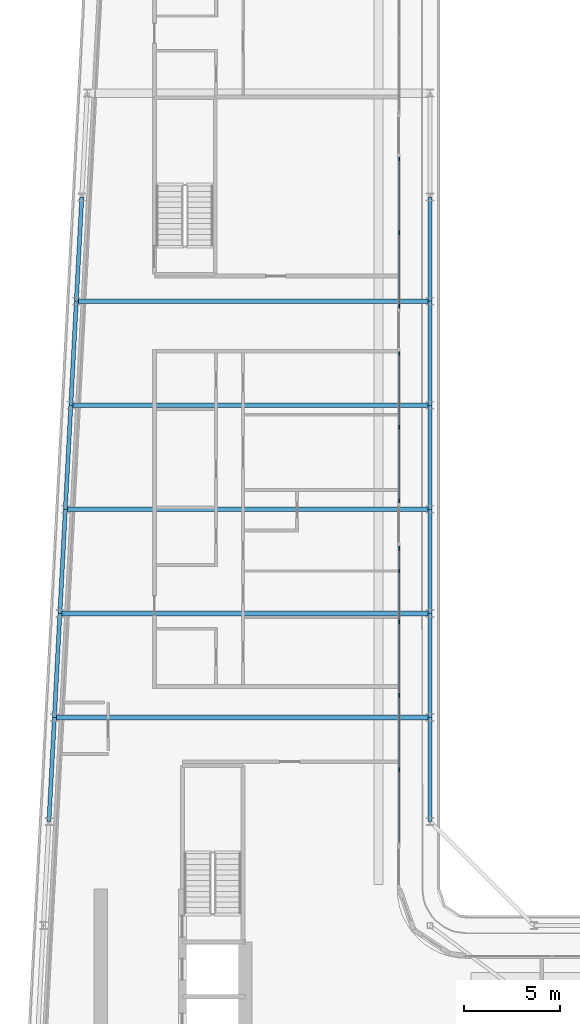
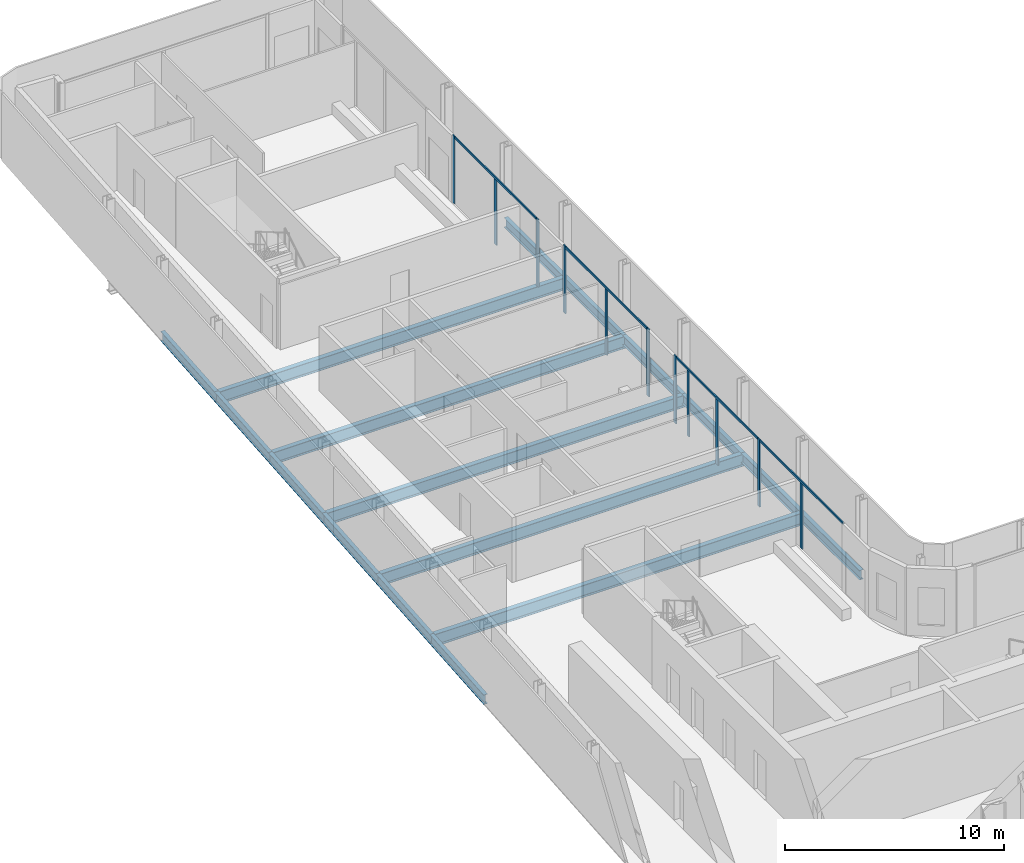
# One storey, part 6 of 23: 17 beams, 15 members, 4 elements without a shape of their own.
"""IFC4 building model written with IfcOpenShell, lengths in metres."""

from ifc_helpers import new_model, si_unit, direction, frame, origin, origin_2d, place, context, subcontext, project, spatial, rectangle, i_section, extrude, material, layer, layer_set, material_profile, profile_set, type_object, element, aggregate, save


model = new_model("IFC4")

# Units and contexts
model_context = context("Model", 3, precision=1e-05, world=origin(), true_north=direction((0.0, 1.0)))
body_context = subcontext(model_context, "Body", "Model", "MODEL_VIEW")
ifc_project = project(units=[si_unit("LENGTHUNIT", "METRE"), si_unit("AREAUNIT", "SQUARE_METRE"), si_unit("VOLUMEUNIT", "CUBIC_METRE"), si_unit("PLANEANGLEUNIT", "RADIAN"), si_unit("MASSUNIT", "GRAM", prefix="KILO")], contexts=[model_context])

# Site, building, storey
site_placement = place(None, origin())
site = spatial("IfcSite", under=ifc_project, at=site_placement, CompositionType="ELEMENT")
building_placement = place(site_placement, origin())
building = spatial("IfcBuilding", under=site, at=building_placement, Name="Kheshtan School and Residences Tower", CompositionType="ELEMENT")
storey_placement = place(building_placement, frame((0.0, 0.0, 259.10009765625)))
storey = spatial("IfcBuildingStorey", under=building, at=storey_placement, Name="L61", CompositionType="ELEMENT", Elevation=259.10009765625)

# Beams
ifc_material_1 = material(Name="Steel ASTM A992 Grade 50", Category="steel")
ifc_material_profile_1 = material_profile(ifc_material_1, i_section(OverallWidth=0.2529296875, OverallDepth=0.677978515625, WebThickness=0.01171875, FlangeThickness=0.016357421875, FilletRadius=0.0146484375, at=origin_2d()), Name="W690x125")
ifc_profile_set_1 = profile_set([ifc_material_profile_1], Name="Steel ASTM A992 Grade 50")
beam_type_1 = type_object("IfcBeamType", Name="Beam FB6 W690x125 ASTM A992 Grade 50", PredefinedType="BEAM", material=ifc_profile_set_1)
beam_1_placement = place(storey_placement, frame((47.60009765625, 78.0, -0.489013671875), z_axis=(-1.0, 0.0, 0.0), x_axis=(0.0, -1.0, 0.0)))
element("IfcBeam", 1, at=beam_1_placement, inside=storey, type_object=beam_type_1, Name="Floor beam C089", PredefinedType="BEAM", context=body_context, shape_type="SweptSolid", body=[
    extrude(i_section(OverallWidth=0.2529296875, OverallDepth=0.677978515625, WebThickness=0.01171875, FlangeThickness=0.016357421875, FilletRadius=0.0146484375, at=origin_2d()), origin(), (0.0, 0.0, 1.0), 18.357177734375),
])
beam_2_placement = place(storey_placement, frame((47.60009765625, 67.199951171875, -0.489013671875), z_axis=(-1.0, 0.0, 0.0), x_axis=(0.0, -1.0, 0.0)))
element("IfcBeam", 2, at=beam_2_placement, inside=storey, type_object=beam_type_1, Name="Floor beam C085", PredefinedType="BEAM", context=body_context, shape_type="SweptSolid", body=[
    extrude(i_section(OverallWidth=0.2529296875, OverallDepth=0.677978515625, WebThickness=0.01171875, FlangeThickness=0.016357421875, FilletRadius=0.0146484375, at=origin_2d()), origin(), (0.0, 0.0, 1.0), 18.926025390625),
])
beam_3_placement = place(storey_placement, frame((47.60009765625, 56.39990234375, -0.489013671875), z_axis=(-1.0, 0.0, 0.0), x_axis=(0.0, -1.0, 0.0)))
element("IfcBeam", 3, at=beam_3_placement, inside=storey, type_object=beam_type_1, Name="Floor beam C081", PredefinedType="BEAM", context=body_context, shape_type="SweptSolid", body=[
    extrude(i_section(OverallWidth=0.2529296875, OverallDepth=0.677978515625, WebThickness=0.01171875, FlangeThickness=0.016357421875, FilletRadius=0.0146484375, at=origin_2d()), origin(), (0.0, 0.0, 1.0), 19.494140625),
])
beam_4_placement = place(storey_placement, frame((28.389892578125, 61.800048828125, -0.489013671875), z_axis=(1.0, 0.0, 0.0), x_axis=(0.0, 1.0, 0.0)))
element("IfcBeam", 4, at=beam_4_placement, inside=storey, type_object=beam_type_1, Name="Floor beam C082", PredefinedType="BEAM", context=body_context, shape_type="SweptSolid", body=[
    extrude(i_section(OverallWidth=0.2529296875, OverallDepth=0.677978515625, WebThickness=0.01171875, FlangeThickness=0.016357421875, FilletRadius=0.0146484375, at=origin_2d()), origin(), (0.0, 0.0, 1.0), 19.210205078125),
])
beam_5_placement = place(storey_placement, frame((28.9580078125, 72.60009765625, -0.489013671875), z_axis=(1.0, 0.0, 0.0), x_axis=(0.0, 1.0, 0.0)))
element("IfcBeam", 5, at=beam_5_placement, inside=storey, type_object=beam_type_1, Name="Floor beam C086", PredefinedType="BEAM", context=body_context, shape_type="SweptSolid", body=[
    extrude(i_section(OverallWidth=0.2529296875, OverallDepth=0.677978515625, WebThickness=0.01171875, FlangeThickness=0.016357421875, FilletRadius=0.0146484375, at=origin_2d()), origin(), (0.0, 0.0, 1.0), 18.64208984375),
])
ifc_material_profile_2 = material_profile(ifc_material_1, i_section(OverallWidth=0.208984375, OverallDepth=0.532958984375, WebThickness=0.01025390625, FlangeThickness=0.015625, FilletRadius=0.013916015625, at=origin_2d()), Name="W530x92")
ifc_profile_set_2 = profile_set([ifc_material_profile_2], Name="Steel ASTM A992 Grade 50")
beam_type_2 = type_object("IfcBeamType", Name="Beam SP3 W530x92 ASTM A992 Grade 50", PredefinedType="BEAM", material=ifc_profile_set_2)
for number, where, z_axis, x_axis, name in (
    (6, (47.60009765625, 83.39990234375, -0.41650390625), (0.0, -1.0, 0.0), (1.0, 0.0, 0.0), "Spandrel beam C091-C089"),
    (7, (47.60009765625, 78.0, -0.41650390625), (0.0, -1.0, 0.0), (1.0, 0.0, 0.0), "Spandrel beam C089-C087"),
):
    element("IfcBeam", number, at=place(storey_placement, frame(where, z_axis=z_axis, x_axis=x_axis)), inside=storey, type_object=beam_type_2, Name=name, PredefinedType="BEAM", context=body_context, shape_type="SweptSolid", body=[
        extrude(i_section(OverallWidth=0.208984375, OverallDepth=0.532958984375, WebThickness=0.01025390625, FlangeThickness=0.015625, FilletRadius=0.013916015625, at=origin_2d()), origin(), (0.0, 0.0, 1.0), 5.39990234375),
    ])
beam_6_placement = place(storey_placement, frame((47.60009765625, 72.60009765625, -0.41650390625), z_axis=(0.0, -1.0, 0.0), x_axis=(1.0, 0.0, 0.0)))
element("IfcBeam", 8, at=beam_6_placement, inside=storey, type_object=beam_type_2, Name="Spandrel beam C087-C085", PredefinedType="BEAM", context=body_context, shape_type="SweptSolid", body=[
    extrude(i_section(OverallWidth=0.208984375, OverallDepth=0.532958984375, WebThickness=0.01025390625, FlangeThickness=0.015625, FilletRadius=0.013916015625, at=origin_2d()), origin(), (0.0, 0.0, 1.0), 5.400146484375),
])
beam_7_placement = place(storey_placement, frame((47.60009765625, 67.199951171875, -0.41650390625), z_axis=(0.0, -1.0, 0.0), x_axis=(1.0, 0.0, 0.0)))
element("IfcBeam", 9, at=beam_7_placement, inside=storey, type_object=beam_type_2, Name="Spandrel beam C085-C083", PredefinedType="BEAM", context=body_context, shape_type="SweptSolid", body=[
    extrude(i_section(OverallWidth=0.208984375, OverallDepth=0.532958984375, WebThickness=0.01025390625, FlangeThickness=0.015625, FilletRadius=0.013916015625, at=origin_2d()), origin(), (0.0, 0.0, 1.0), 5.39990234375),
])
beam_8_placement = place(storey_placement, frame((47.60009765625, 61.800048828125, -0.41650390625), z_axis=(0.0, -1.0, 0.0), x_axis=(1.0, 0.0, 0.0)))
element("IfcBeam", 10, at=beam_8_placement, inside=storey, type_object=beam_type_2, Name="Spandrel beam C083-C081", PredefinedType="BEAM", context=body_context, shape_type="SweptSolid", body=[
    extrude(i_section(OverallWidth=0.208984375, OverallDepth=0.532958984375, WebThickness=0.01025390625, FlangeThickness=0.015625, FilletRadius=0.013916015625, at=origin_2d()), origin(), (0.0, 0.0, 1.0), 5.400146484375),
])
beam_9_placement = place(storey_placement, frame((47.60009765625, 56.39990234375, -0.41650390625), z_axis=(0.0, -1.0, 0.0), x_axis=(1.0, 0.0, 0.0)))
element("IfcBeam", 11, at=beam_9_placement, inside=storey, type_object=beam_type_2, Name="Spandrel beam C081-C079", PredefinedType="BEAM", context=body_context, shape_type="SweptSolid", body=[
    extrude(i_section(OverallWidth=0.208984375, OverallDepth=0.532958984375, WebThickness=0.01025390625, FlangeThickness=0.015625, FilletRadius=0.013916015625, at=origin_2d()), origin(), (0.0, 0.0, 1.0), 5.39990234375),
])
beam_10_placement = place(storey_placement, frame((27.822021484375, 51.0, -0.41650390625), z_axis=(0.05250906864, 0.998620447272, 0.0), x_axis=(-0.998620447272, 0.05250906864, 0.0)))
element("IfcBeam", 12, at=beam_10_placement, inside=storey, type_object=beam_type_2, Name="Spandrel beam C078-C080", PredefinedType="BEAM", context=body_context, shape_type="SweptSolid", body=[
    extrude(i_section(OverallWidth=0.208984375, OverallDepth=0.532958984375, WebThickness=0.01025390625, FlangeThickness=0.015625, FilletRadius=0.013916015625, at=origin_2d()), origin(), (0.0, 0.0, 1.0), 5.407470703125),
])
beam_11_placement = place(storey_placement, frame((28.10595703125, 56.39990234375, -0.41650390625), z_axis=(0.05250670125, 0.998620571751, 0.0), x_axis=(-0.998620571751, 0.05250670125, 0.0)))
element("IfcBeam", 13, at=beam_11_placement, inside=storey, type_object=beam_type_2, Name="Spandrel beam C080-C082", PredefinedType="BEAM", context=body_context, shape_type="SweptSolid", body=[
    extrude(i_section(OverallWidth=0.208984375, OverallDepth=0.532958984375, WebThickness=0.01025390625, FlangeThickness=0.015625, FilletRadius=0.013916015625, at=origin_2d()), origin(), (0.0, 0.0, 1.0), 5.40771484375),
])
beam_12_placement = place(storey_placement, frame((28.389892578125, 61.800048828125, -0.41650390625), z_axis=(0.052554093665, 0.998618078766, 0.0), x_axis=(-0.998618078766, 0.052554093665, 0.0)))
element("IfcBeam", 14, at=beam_12_placement, inside=storey, type_object=beam_type_2, Name="Spandrel beam C082-C084", PredefinedType="BEAM", context=body_context, shape_type="SweptSolid", body=[
    extrude(i_section(OverallWidth=0.208984375, OverallDepth=0.532958984375, WebThickness=0.01025390625, FlangeThickness=0.015625, FilletRadius=0.013916015625, at=origin_2d()), origin(), (0.0, 0.0, 1.0), 5.407470703125),
])
beam_13_placement = place(storey_placement, frame((28.674072265625, 67.199951171875, -0.41650390625), z_axis=(0.05250670125, 0.998620571751, 0.0), x_axis=(-0.998620571751, 0.05250670125, 0.0)))
element("IfcBeam", 15, at=beam_13_placement, inside=storey, type_object=beam_type_2, Name="Spandrel beam C084-C086", PredefinedType="BEAM", context=body_context, shape_type="SweptSolid", body=[
    extrude(i_section(OverallWidth=0.208984375, OverallDepth=0.532958984375, WebThickness=0.01025390625, FlangeThickness=0.015625, FilletRadius=0.013916015625, at=origin_2d()), origin(), (0.0, 0.0, 1.0), 5.40771484375),
])
for number, where, z_axis, x_axis, name in (
    (16, (28.9580078125, 72.60009765625, -0.41650390625), (0.052689166816, 0.998610961136, 0.0), (-0.998610961136, 0.052689166816, 0.0), "Spandrel beam C086-C088"),
    (17, (29.242919921875, 78.0, -0.41650390625), (0.052554093665, 0.998618078766, 0.0), (-0.998618078766, 0.052554093665, 0.0), "Spandrel beam C088-C090"),
):
    element("IfcBeam", number, at=place(storey_placement, frame(where, z_axis=z_axis, x_axis=x_axis)), inside=storey, type_object=beam_type_2, Name=name, PredefinedType="BEAM", context=body_context, shape_type="SweptSolid", body=[
        extrude(i_section(OverallWidth=0.208984375, OverallDepth=0.532958984375, WebThickness=0.01025390625, FlangeThickness=0.015625, FilletRadius=0.013916015625, at=origin_2d()), origin(), (0.0, 0.0, 1.0), 5.407470703125),
    ])

# Curtain wall, members
ifc_material_2 = material(Name="Clear low-e glass in thermally broken aluminium frame", Category="aluminium")
ifc_layer = layer(ifc_material_2, 0.199951171875)
ifc_layer_set = layer_set([ifc_layer], Name="Curtain wall CW-L")
curtain_wall_type = type_object("IfcCurtainWallType", Name="Curtain wall CW-L", PredefinedType="NOTDEFINED", material=ifc_layer_set)
curtain_wall_1_placement = place(storey_placement, origin())
curtain_wall_1 = element("IfcCurtainWall", 18, at=curtain_wall_1_placement, inside=storey, type_object=curtain_wall_type, Name="Curtain wall CWL8", PredefinedType="NOTDEFINED")
ifc_material_3 = material(Name="Thermally broken aluminium, dark bronze anodised", Category="aluminium")
ifc_material_profile_3 = material_profile(ifc_material_3, rectangle(XDim=0.06005859375, YDim=0.199951171875, at=origin_2d()), Name="CW-L mullion 60x200")
ifc_profile_set_3 = profile_set([ifc_material_profile_3], Name="Thermally broken aluminium, dark bronze anodised")
member_type_1 = type_object("IfcMemberType", Name="CW-L mullion 60x200", PredefinedType="MULLION", material=ifc_profile_set_3)
member_1_placement = place(storey_placement, frame((46.0, 85.3759765625, 0.0), z_axis=(0.0, 0.0, 1.0), x_axis=(1.0, 0.0, 0.0)))
member_1 = element("IfcMember", 19, at=member_1_placement, type_object=member_type_1, Name="CWL8 mullion 1", PredefinedType="MULLION", context=body_context, shape_type="SweptSolid", body=[
    extrude(rectangle(XDim=0.06005859375, YDim=0.199951171875, at=origin_2d()), origin(), (0.0, 0.0, 1.0), 3.75),
])
member_2_placement = place(storey_placement, frame((46.0, 81.55908203125, 0.0), z_axis=(0.0, 0.0, 1.0), x_axis=(1.0, 0.0, 0.0)))
member_2 = element("IfcMember", 20, at=member_2_placement, type_object=member_type_1, Name="CWL8 mullion 2", PredefinedType="MULLION", context=body_context, shape_type="SweptSolid", body=[
    extrude(rectangle(XDim=0.06005859375, YDim=0.199951171875, at=origin_2d()), origin(), (0.0, 0.0, 1.0), 3.6298828125),
])
member_3_placement = place(storey_placement, frame((46.0, 77.741943359375, 0.0), z_axis=(0.0, 0.0, 1.0), x_axis=(1.0, 0.0, 0.0)))
member_3 = element("IfcMember", 21, at=member_3_placement, type_object=member_type_1, Name="CWL8 mullion 3", PredefinedType="MULLION", context=body_context, shape_type="SweptSolid", body=[
    extrude(rectangle(XDim=0.06005859375, YDim=0.199951171875, at=origin_2d()), origin(), (0.0, 0.0, 1.0), 3.75),
])

curtain_wall_2_placement = place(storey_placement, origin())
curtain_wall_2 = element("IfcCurtainWall", 22, at=curtain_wall_2_placement, inside=storey, type_object=curtain_wall_type, Name="Curtain wall CWL8", PredefinedType="NOTDEFINED")
member_4_placement = place(storey_placement, frame((46.0, 75.281982421875, 0.0), z_axis=(0.0, 0.0, 1.0), x_axis=(1.0, 0.0, 0.0)))
member_4 = element("IfcMember", 23, at=member_4_placement, type_object=member_type_1, Name="CWL8 mullion 1", PredefinedType="MULLION", context=body_context, shape_type="SweptSolid", body=[
    extrude(rectangle(XDim=0.06005859375, YDim=0.199951171875, at=origin_2d()), origin(), (0.0, 0.0, 1.0), 3.75),
])
member_5_placement = place(storey_placement, frame((46.0, 71.465087890625, 0.0), z_axis=(0.0, 0.0, 1.0), x_axis=(1.0, 0.0, 0.0)))
member_5 = element("IfcMember", 24, at=member_5_placement, type_object=member_type_1, Name="CWL8 mullion 2", PredefinedType="MULLION", context=body_context, shape_type="SweptSolid", body=[
    extrude(rectangle(XDim=0.06005859375, YDim=0.199951171875, at=origin_2d()), origin(), (0.0, 0.0, 1.0), 3.6298828125),
])
member_6_placement = place(storey_placement, frame((46.0, 67.64794921875, 0.0), z_axis=(0.0, 0.0, 1.0), x_axis=(1.0, 0.0, 0.0)))
member_6 = element("IfcMember", 25, at=member_6_placement, type_object=member_type_1, Name="CWL8 mullion 3", PredefinedType="MULLION", context=body_context, shape_type="SweptSolid", body=[
    extrude(rectangle(XDim=0.06005859375, YDim=0.199951171875, at=origin_2d()), origin(), (0.0, 0.0, 1.0), 3.75),
])

curtain_wall_3_placement = place(storey_placement, origin())
curtain_wall_3 = element("IfcCurtainWall", 26, at=curtain_wall_3_placement, inside=storey, type_object=curtain_wall_type, Name="Curtain wall CWL8c", PredefinedType="NOTDEFINED")
member_7_placement = place(storey_placement, frame((46.0, 65.18798828125, 0.0), z_axis=(0.0, 0.0, 1.0), x_axis=(1.0, 0.0, 0.0)))
member_7 = element("IfcMember", 27, at=member_7_placement, type_object=member_type_1, Name="CWL8c mullion 1", PredefinedType="MULLION", context=body_context, shape_type="SweptSolid", body=[
    extrude(rectangle(XDim=0.06005859375, YDim=0.199951171875, at=origin_2d()), origin(), (0.0, 0.0, 1.0), 3.75),
])
member_8_placement = place(storey_placement, frame((46.0, 64.0, 0.0), z_axis=(0.0, 0.0, 1.0), x_axis=(1.0, 0.0, 0.0)))
member_8 = element("IfcMember", 28, at=member_8_placement, type_object=member_type_1, Name="CWL8c mullion 2", PredefinedType="MULLION", context=body_context, shape_type="SweptSolid", body=[
    extrude(rectangle(XDim=0.06005859375, YDim=0.199951171875, at=origin_2d()), origin(), (0.0, 0.0, 1.0), 3.6298828125),
])
member_9_placement = place(storey_placement, frame((46.0, 61.37109375, 0.0), z_axis=(0.0, 0.0, 1.0), x_axis=(1.0, 0.0, 0.0)))
member_9 = element("IfcMember", 29, at=member_9_placement, type_object=member_type_1, Name="CWL8c mullion 3", PredefinedType="MULLION", context=body_context, shape_type="SweptSolid", body=[
    extrude(rectangle(XDim=0.06005859375, YDim=0.199951171875, at=origin_2d()), origin(), (0.0, 0.0, 1.0), 3.6298828125),
])
member_10_placement = place(storey_placement, frame((46.0, 57.553955078125, 0.0), z_axis=(0.0, 0.0, 1.0), x_axis=(1.0, 0.0, 0.0)))
member_10 = element("IfcMember", 30, at=member_10_placement, type_object=member_type_1, Name="CWL8c mullion 4", PredefinedType="MULLION", context=body_context, shape_type="SweptSolid", body=[
    extrude(rectangle(XDim=0.06005859375, YDim=0.199951171875, at=origin_2d()), origin(), (0.0, 0.0, 1.0), 3.75),
])

# Curtain wall, member
curtain_wall_4_placement = place(storey_placement, origin())
curtain_wall_4 = element("IfcCurtainWall", 31, at=curtain_wall_4_placement, inside=storey, type_object=curtain_wall_type, Name="Curtain wall CWL8", PredefinedType="NOTDEFINED")
member_11_placement = place(storey_placement, frame((46.0, 53.677001953125, 0.0), z_axis=(0.0, 0.0, 1.0), x_axis=(1.0, 0.0, 0.0)))
member_11 = element("IfcMember", 32, at=member_11_placement, type_object=member_type_1, Name="CWL8 mullion 2", PredefinedType="MULLION", context=body_context, shape_type="SweptSolid", body=[
    extrude(rectangle(XDim=0.06005859375, YDim=0.199951171875, at=origin_2d()), origin(), (0.0, 0.0, 1.0), 3.6298828125),
])

# Member
ifc_material_profile_4 = material_profile(ifc_material_3, rectangle(XDim=0.06005859375, YDim=0.1201171875, at=origin_2d()), Name="CW-L transom 60x120")
ifc_profile_set_4 = profile_set([ifc_material_profile_4], Name="Thermally broken aluminium, dark bronze anodised")
member_type_2 = type_object("IfcMemberType", Name="CW-L transom 60x120", PredefinedType="USERDEFINED", material=ifc_profile_set_4)
member_12_placement = place(storey_placement, frame((46.0, 85.345947265625, 3.68994140625), z_axis=(0.0, -1.0, 0.0), x_axis=(1.0, 0.0, 0.0)))
member_12 = element("IfcMember", 33, at=member_12_placement, type_object=member_type_2, Name="CWL8 transom 1", ObjectType="TRANSOM", PredefinedType="USERDEFINED", context=body_context, shape_type="SweptSolid", body=[
    extrude(rectangle(XDim=0.06005859375, YDim=0.1201171875, at=origin_2d()), origin(), (0.0, 0.0, 1.0), 7.573974609375),
])

aggregate(curtain_wall_1, [member_1, member_2, member_3, member_12])

member_13_placement = place(storey_placement, frame((46.0, 75.251953125, 3.68994140625), z_axis=(0.0, -1.0, 0.0), x_axis=(1.0, 0.0, 0.0)))
member_13 = element("IfcMember", 34, at=member_13_placement, type_object=member_type_2, Name="CWL8 transom 1", ObjectType="TRANSOM", PredefinedType="USERDEFINED", context=body_context, shape_type="SweptSolid", body=[
    extrude(rectangle(XDim=0.06005859375, YDim=0.1201171875, at=origin_2d()), origin(), (0.0, 0.0, 1.0), 7.573974609375),
])

aggregate(curtain_wall_2, [member_4, member_5, member_6, member_13])

member_14_placement = place(storey_placement, frame((46.0, 65.157958984375, 3.68994140625), z_axis=(0.0, -1.0, 0.0), x_axis=(1.0, 0.0, 0.0)))
member_14 = element("IfcMember", 35, at=member_14_placement, type_object=member_type_2, Name="CWL8c transom 1", ObjectType="TRANSOM", PredefinedType="USERDEFINED", context=body_context, shape_type="SweptSolid", body=[
    extrude(rectangle(XDim=0.06005859375, YDim=0.1201171875, at=origin_2d()), origin(), (0.0, 0.0, 1.0), 7.573974609375),
])

aggregate(curtain_wall_3, [member_7, member_8, member_9, member_10, member_14])

member_15_placement = place(storey_placement, frame((46.0, 57.52392578125, 3.68994140625), z_axis=(0.0, -1.0, 0.0), x_axis=(1.0, 0.0, 0.0)))
member_15 = element("IfcMember", 36, at=member_15_placement, type_object=member_type_2, Name="CWL8 transom 1", ObjectType="TRANSOM", PredefinedType="USERDEFINED", context=body_context, shape_type="SweptSolid", body=[
    extrude(rectangle(XDim=0.06005859375, YDim=0.1201171875, at=origin_2d()), origin(), (0.0, 0.0, 1.0), 7.634033203125),
])

aggregate(curtain_wall_4, [member_11, member_15])

save(model, "model.ifc")
